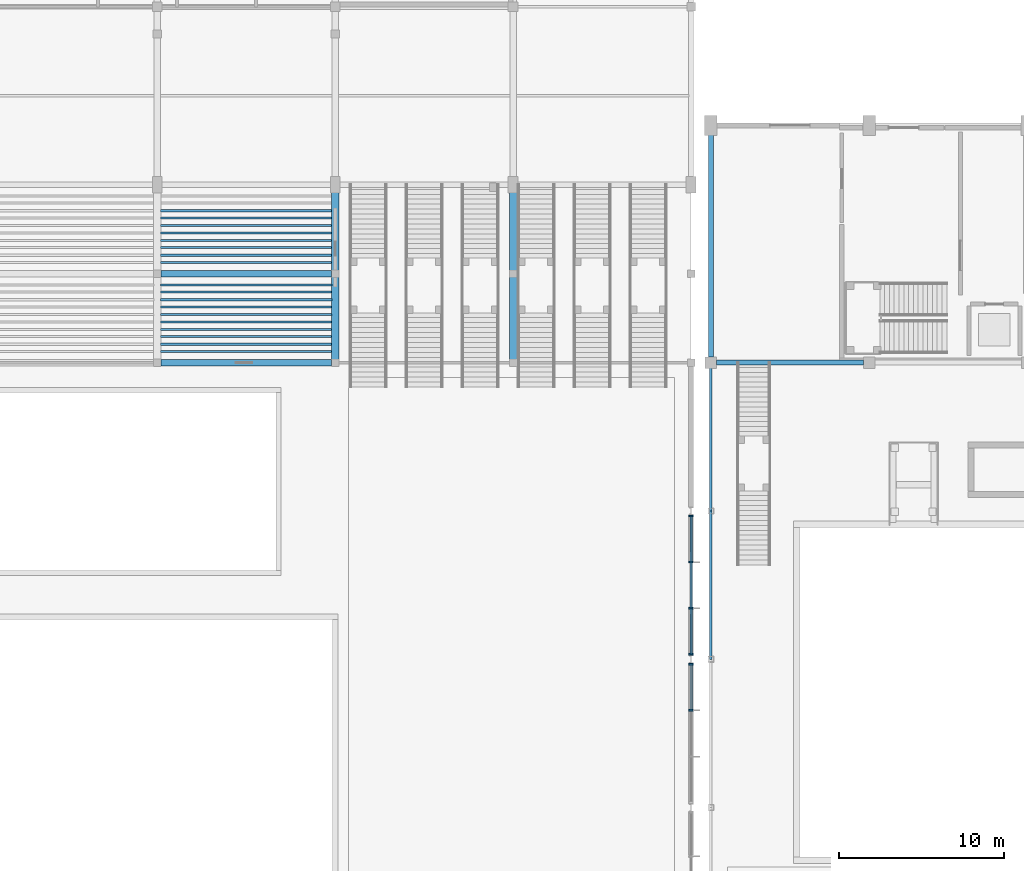
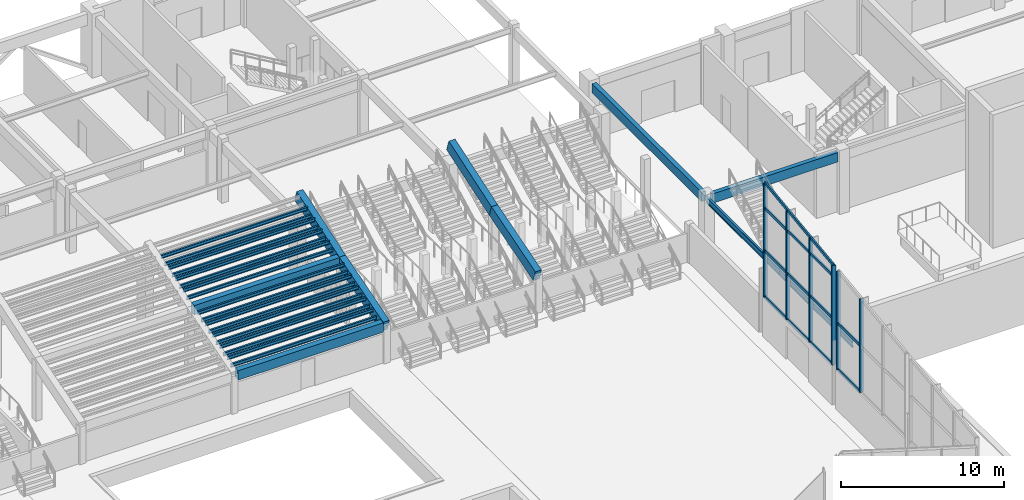
# One storey, part 37 of 82: 28 beams, 18 members, 2 elements without a shape of their own.
"""IFC4 building model written with IfcOpenShell, lengths in metres."""

from ifc_helpers import new_model, si_unit, direction, frame, origin, origin_2d, place, context, subcontext, project, spatial, rectangle, i_section, extrude, material, material_profile, profile_set, type_object, element, aggregate, save


model = new_model("IFC4")

# Units and contexts
model_context = context("Model", 3, precision=1e-05, world=origin(), true_north=direction((0.0, 1.0)))
body_context = subcontext(model_context, "Body", "Model", "MODEL_VIEW")
ifc_project = project(units=[si_unit("LENGTHUNIT", "METRE"), si_unit("AREAUNIT", "SQUARE_METRE"), si_unit("VOLUMEUNIT", "CUBIC_METRE"), si_unit("PLANEANGLEUNIT", "RADIAN"), si_unit("MASSUNIT", "GRAM", prefix="KILO")], contexts=[model_context])

# Site, building, storey
site_placement = place(None, origin())
site = spatial("IfcSite", under=ifc_project, at=site_placement, CompositionType="ELEMENT")
building_placement = place(site_placement, origin())
building = spatial("IfcBuilding", under=site, at=building_placement, Name="Suirenkawa Promenade Aquatics Centre", CompositionType="ELEMENT")
storey_placement = place(building_placement, origin())
storey = spatial("IfcBuildingStorey", under=building, at=storey_placement, Name="L00", CompositionType="ELEMENT", Elevation=0.0)

# Beams
ifc_material_1 = material(Name="Steel IS 2062 E350 (Grade 350)", Category="steel")
ifc_material_profile_1 = material_profile(ifc_material_1, i_section(OverallWidth=0.125, OverallDepth=0.25, WebThickness=0.007080078125, FlangeThickness=0.012939453125, at=origin_2d()), Name="ISMB 250", Category="steel")
ifc_profile_set_1 = profile_set([ifc_material_profile_1], Name="Steel IS 2062 E350 (Grade 350)")
beam_type_1 = type_object("IfcBeamType", Name="BT-JOIST-ISMB250", PredefinedType="JOIST", material=ifc_profile_set_1)
for number, where, z_axis, x_axis, name in (
    (1, (122.60009765625, 87.080078125, 2.985107421875), (1.0, 0.0, 0.0), (0.0, 1.0, 0.0), "Seating tier rear stringer JS-01 BM-1292"),
    (2, (122.60009765625, 87.52001953125, 3.284912109375), (1.0, 0.0, 0.0), (0.0, 1.0, 0.0), "Seating tier front stringer JS-01 BM-1293"),
    (3, (122.60009765625, 87.97998046875, 3.284912109375), (1.0, 0.0, 0.0), (0.0, 1.0, 0.0), "Seating tier rear stringer JS-01 BM-1294"),
    (4, (122.60009765625, 88.419921875, 3.5849609375), (1.0, 0.0, 0.0), (0.0, 1.0, 0.0), "Seating tier front stringer JS-01 BM-1295"),
    (5, (122.60009765625, 88.8798828125, 3.5849609375), (1.0, 0.0, 0.0), (0.0, 1.0, 0.0), "Seating tier rear stringer JS-01 BM-1296"),
    (6, (122.60009765625, 89.320068359375, 3.885009765625), (1.0, 0.0, 0.0), (0.0, 1.0, 0.0), "Seating tier front stringer JS-01 BM-1297"),
    (7, (122.60009765625, 89.780029296875, 3.885009765625), (1.0, 0.0, 0.0), (0.0, 1.0, 0.0), "Seating tier rear stringer JS-01 BM-1298"),
    (8, (122.60009765625, 90.219970703125, 4.18505859375), (1.0, 0.0, 0.0), (0.0, 1.0, 0.0), "Seating tier front stringer JS-01 BM-1299"),
    (9, (122.60009765625, 90.679931640625, 4.18505859375), (1.0, 0.0, 0.0), (0.0, 1.0, 0.0), "Seating tier rear stringer JS-01 BM-1300"),
    (10, (122.60009765625, 91.1201171875, 4.485107421875), (1.0, 0.0, 0.0), (0.0, 1.0, 0.0), "Seating tier front stringer JS-01 BM-1301"),
    (11, (122.60009765625, 92.47998046875, 4.784912109375), (1.0, 0.0, 0.0), (0.0, 1.0, 0.0), "Seating tier rear stringer JS-01 BM-1302"),
    (12, (122.60009765625, 92.919921875, 5.0849609375), (1.0, 0.0, 0.0), (0.0, 1.0, 0.0), "Seating tier front stringer JS-01 BM-1303"),
    (13, (122.60009765625, 93.3798828125, 5.0849609375), (1.0, 0.0, 0.0), (0.0, 1.0, 0.0), "Seating tier rear stringer JS-01 BM-1304"),
    (14, (122.60009765625, 93.820068359375, 5.385009765625), (1.0, 0.0, 0.0), (0.0, 1.0, 0.0), "Seating tier front stringer JS-01 BM-1305"),
    (15, (122.60009765625, 94.280029296875, 5.385009765625), (1.0, 0.0, 0.0), (0.0, 1.0, 0.0), "Seating tier rear stringer JS-01 BM-1306"),
    (16, (122.60009765625, 94.719970703125, 5.68505859375), (1.0, 0.0, 0.0), (0.0, 1.0, 0.0), "Seating tier front stringer JS-01 BM-1307"),
    (17, (122.60009765625, 95.179931640625, 5.68505859375), (1.0, 0.0, 0.0), (0.0, 1.0, 0.0), "Seating tier rear stringer JS-01 BM-1308"),
    (18, (122.60009765625, 95.6201171875, 5.985107421875), (1.0, 0.0, 0.0), (0.0, 1.0, 0.0), "Seating tier front stringer JS-01 BM-1309"),
):
    element("IfcBeam", number, at=place(storey_placement, frame(where, z_axis=z_axis, x_axis=x_axis)), inside=storey, type_object=beam_type_1, Name=name, PredefinedType="JOIST", context=body_context, shape_type="SweptSolid", body=[
        extrude(i_section(OverallWidth=0.125, OverallDepth=0.25, WebThickness=0.007080078125, FlangeThickness=0.012939453125, at=origin_2d()), origin(), (0.0, 0.0, 1.0), 10.39990234375),
    ])
ifc_material_2 = material(Name="Concrete M40", Category="concrete")
ifc_material_profile_2 = material_profile(ifc_material_2, rectangle(XDim=0.449951171875, YDim=0.85009765625, at=origin_2d()), Name="RC RAKER 450x850", Category="concrete")
ifc_profile_set_2 = profile_set([ifc_material_profile_2], Name="Concrete M40")
beam_type_2 = type_object("IfcBeamType", Name="BT-RAKER-450x850", PredefinedType="BEAM", material=ifc_profile_set_2)
beam_1_placement = place(storey_placement, frame((133.199951171875, 86.39990234375, 2.68505859375), z_axis=(0.0, 0.957834627733, 0.287320075727), x_axis=(-1.0, 0.0, 0.0)))
element("IfcBeam", 19, at=beam_1_placement, inside=storey, type_object=beam_type_2, Name="RAKER spectator stand beam RK-01 BM-1170", PredefinedType="BEAM", context=body_context, shape_type="SweptSolid", body=[
    extrude(rectangle(XDim=0.449951171875, YDim=0.85009765625, at=origin_2d()), origin(), (0.0, 0.0, 1.0), 5.637939453125),
])
beam_2_placement = place(storey_placement, frame((133.199951171875, 91.800048828125, 4.304931640625), z_axis=(0.0, 0.948683298051, 0.316227766017), x_axis=(-1.0, 0.0, 0.0)))
element("IfcBeam", 20, at=beam_2_placement, inside=storey, type_object=beam_type_2, Name="RAKER spectator stand beam RK-01 BM-1171", PredefinedType="BEAM", context=body_context, shape_type="SweptSolid", body=[
    extrude(rectangle(XDim=0.449951171875, YDim=0.85009765625, at=origin_2d()), origin(), (0.0, 0.0, 1.0), 5.533935546875),
])
beam_3_placement = place(storey_placement, frame((144.0, 86.39990234375, 2.68505859375), z_axis=(0.0, 0.957834627733, 0.287320075727), x_axis=(-1.0, 0.0, 0.0)))
element("IfcBeam", 21, at=beam_3_placement, inside=storey, type_object=beam_type_2, Name="RAKER spectator stand beam RK-01 BM-1172", PredefinedType="BEAM", context=body_context, shape_type="SweptSolid", body=[
    extrude(rectangle(XDim=0.449951171875, YDim=0.85009765625, at=origin_2d()), origin(), (0.0, 0.0, 1.0), 5.637939453125),
])
beam_4_placement = place(storey_placement, frame((144.0, 91.800048828125, 4.304931640625), z_axis=(0.0, 0.948683298051, 0.316227766017), x_axis=(-1.0, 0.0, 0.0)))
element("IfcBeam", 22, at=beam_4_placement, inside=storey, type_object=beam_type_2, Name="RAKER spectator stand beam RK-01 BM-1173", PredefinedType="BEAM", context=body_context, shape_type="SweptSolid", body=[
    extrude(rectangle(XDim=0.449951171875, YDim=0.85009765625, at=origin_2d()), origin(), (0.0, 0.0, 1.0), 5.533935546875),
])
ifc_material_3 = material(Name="Concrete M35", Category="concrete")
ifc_material_profile_3 = material_profile(ifc_material_3, rectangle(XDim=0.39990234375, YDim=0.699951171875, at=origin_2d()), Name="RC BM 400x700", Category="concrete")
ifc_profile_set_3 = profile_set([ifc_material_profile_3], Name="Concrete M35")
beam_type_3 = type_object("IfcBeamType", Name="BT-RC-400x700", PredefinedType="BEAM", material=ifc_profile_set_3)
for number, where, z_axis, x_axis, name in (
    (23, (122.639892578125, 86.39990234375, 2.760009765625), (1.0, 0.0, 0.0), (0.0, 1.0, 0.0), "Bowl front tie beam BM-04 BM-1289"),
    (24, (122.639892578125, 91.800048828125, 4.3798828125), (1.0, 0.0, 0.0), (0.0, 1.0, 0.0), "Bowl mid tie beam BM-04 BM-1290"),
):
    element("IfcBeam", number, at=place(storey_placement, frame(where, z_axis=z_axis, x_axis=x_axis)), inside=storey, type_object=beam_type_3, Name=name, PredefinedType="BEAM", context=body_context, shape_type="SweptSolid", body=[
        extrude(rectangle(XDim=0.39990234375, YDim=0.699951171875, at=origin_2d()), origin(), (0.0, 0.0, 1.0), 10.320068359375),
    ])
ifc_material_profile_4 = material_profile(ifc_material_2, rectangle(XDim=0.300048828125, YDim=0.699951171875, at=origin_2d()), Name="RC SPANDREL 300x700", Category="concrete")
ifc_profile_set_4 = profile_set([ifc_material_profile_4], Name="Concrete M40")
beam_type_4 = type_object("IfcBeamType", Name="BT-SPANDREL-300x700", PredefinedType="SPANDREL", material=ifc_profile_set_4)
beam_5_placement = place(storey_placement, frame((156.343994140625, 86.39990234375, 4.199951171875), z_axis=(1.0, 0.0, 0.0), x_axis=(0.0, 1.0, 0.0)))
element("IfcBeam", 25, at=beam_5_placement, inside=storey, type_object=beam_type_4, Name="Floor beam SP-01 BM-1393", PredefinedType="SPANDREL", context=body_context, shape_type="SweptSolid", body=[
    extrude(rectangle(XDim=0.300048828125, YDim=0.699951171875, at=origin_2d()), origin(), (0.0, 0.0, 1.0), 8.912109375),
])
beam_6_placement = place(storey_placement, frame((156.0, 86.743896484375, 4.199951171875), z_axis=(0.0, 1.0, 0.0), x_axis=(-1.0, 0.0, 0.0)))
element("IfcBeam", 26, at=beam_6_placement, inside=storey, type_object=beam_type_4, Name="Floor beam SP-01 BM-1401", PredefinedType="SPANDREL", context=body_context, shape_type="SweptSolid", body=[
    extrude(rectangle(XDim=0.300048828125, YDim=0.699951171875, at=origin_2d()), origin(), (0.0, 0.0, 1.0), 13.462158203125),
])
ifc_material_profile_5 = material_profile(ifc_material_1, i_section(OverallWidth=0.14990234375, OverallDepth=0.449951171875, WebThickness=0.009033203125, FlangeThickness=0.01708984375, at=origin_2d()), Name="ISMB 450", Category="steel")
ifc_profile_set_5 = profile_set([ifc_material_profile_5], Name="Steel IS 2062 E350 (Grade 350)")
beam_type_5 = type_object("IfcBeamType", Name="BT-STL-ISMB450", PredefinedType="BEAM", material=ifc_profile_set_5)
for number, where, z_axis, x_axis, name in (
    (27, (156.0, 68.39990234375, 4.22509765625), (0.0, 1.0, 0.0), (-1.0, 0.0, 0.0), "Diving hall wind girt BM-08 BM-1347"),
    (28, (156.0, 77.39990234375, 4.22509765625), (0.0, 1.0, 0.0), (-1.0, 0.0, 0.0), "Diving hall wind girt BM-08 BM-1348"),
):
    element("IfcBeam", number, at=place(storey_placement, frame(where, z_axis=z_axis, x_axis=x_axis)), inside=storey, type_object=beam_type_5, Name=name, PredefinedType="BEAM", context=body_context, shape_type="SweptSolid", body=[
        extrude(i_section(OverallWidth=0.14990234375, OverallDepth=0.449951171875, WebThickness=0.009033203125, FlangeThickness=0.01708984375, at=origin_2d()), origin(), (0.0, 0.0, 1.0), 9.0),
    ])

# Curtain wall, members
ifc_material_4 = material(Name="Anodised aluminium 6063-T6", Category="aluminium")
curtain_wall_type_1 = type_object("IfcCurtainWallType", Name="CWAT-GABLEV1-02", PredefinedType="NOTDEFINED", material=ifc_material_4)
curtain_wall_1_placement = place(storey_placement, origin())
curtain_wall_1 = element("IfcCurtainWall", 29, at=curtain_wall_1_placement, inside=storey, type_object=curtain_wall_type_1, Name="Curtain wall CWA-02 CW-006", PredefinedType="NOTDEFINED")
ifc_material_profile_6 = material_profile(ifc_material_4, rectangle(XDim=0.110107421875, YDim=0.260009765625, at=origin_2d()), Name="ALU MULL 110x260", Category="aluminium")
ifc_profile_set_6 = profile_set([ifc_material_profile_6], Name="Anodised aluminium 6063-T6")
member_type_1 = type_object("IfcMemberType", Name="CWM-260x110", PredefinedType="MULLION", material=ifc_profile_set_6)
member_1_placement = place(storey_placement, frame((154.800048828125, 68.10107421875, 2.949951171875), z_axis=(0.0, 0.0, 1.0), x_axis=(0.0, -1.0, 0.0)))
member_1 = element("IfcMember", 30, at=member_1_placement, type_object=member_type_1, Name="Mullion ML-04 CWM-00120", PredefinedType="MULLION", context=body_context, shape_type="SweptSolid", body=[
    extrude(rectangle(XDim=0.110107421875, YDim=0.260009765625, at=origin_2d()), origin(), (0.0, 0.0, 1.0), 7.381591796875),
])
member_2_placement = place(storey_placement, frame((154.800048828125, 65.30029296875, 2.949951171875), z_axis=(0.0, 0.0, 1.0), x_axis=(0.0, -1.0, 0.0)))
member_2 = element("IfcMember", 31, at=member_2_placement, type_object=member_type_1, Name="Mullion ML-04 CWM-00121", PredefinedType="MULLION", context=body_context, shape_type="SweptSolid", body=[
    extrude(rectangle(XDim=0.110107421875, YDim=0.260009765625, at=origin_2d()), origin(), (0.0, 0.0, 1.0), 7.0205078125),
])

curtain_wall_type_2 = type_object("IfcCurtainWallType", Name="CWAT-GABLEV1-03", PredefinedType="NOTDEFINED", material=ifc_material_4)
curtain_wall_2_placement = place(storey_placement, origin())
curtain_wall_2 = element("IfcCurtainWall", 32, at=curtain_wall_2_placement, inside=storey, type_object=curtain_wall_type_2, Name="Curtain wall CWA-03 CW-007", PredefinedType="NOTDEFINED")
member_3_placement = place(storey_placement, frame((154.800048828125, 77.10107421875, 2.949951171875), z_axis=(0.0, 0.0, 1.0), x_axis=(0.0, -1.0, 0.0)))
member_3 = element("IfcMember", 33, at=member_3_placement, type_object=member_type_1, Name="Mullion ML-04 CWM-00137", PredefinedType="MULLION", context=body_context, shape_type="SweptSolid", body=[
    extrude(rectangle(XDim=0.110107421875, YDim=0.260009765625, at=origin_2d()), origin(), (0.0, 0.0, 1.0), 8.54150390625),
])
member_4_placement = place(storey_placement, frame((154.800048828125, 74.30029296875, 2.949951171875), z_axis=(0.0, 0.0, 1.0), x_axis=(0.0, -1.0, 0.0)))
member_4 = element("IfcMember", 34, at=member_4_placement, type_object=member_type_1, Name="Mullion ML-04 CWM-00138", PredefinedType="MULLION", context=body_context, shape_type="SweptSolid", body=[
    extrude(rectangle(XDim=0.110107421875, YDim=0.260009765625, at=origin_2d()), origin(), (0.0, 0.0, 1.0), 8.180419921875),
])
member_5_placement = place(storey_placement, frame((154.800048828125, 71.499755859375, 2.949951171875), z_axis=(0.0, 0.0, 1.0), x_axis=(0.0, -1.0, 0.0)))
member_5 = element("IfcMember", 35, at=member_5_placement, type_object=member_type_1, Name="Mullion ML-04 CWM-00139", PredefinedType="MULLION", context=body_context, shape_type="SweptSolid", body=[
    extrude(rectangle(XDim=0.110107421875, YDim=0.260009765625, at=origin_2d()), origin(), (0.0, 0.0, 1.0), 7.819580078125),
])
member_6_placement = place(storey_placement, frame((154.800048828125, 68.698974609375, 2.949951171875), z_axis=(0.0, 0.0, 1.0), x_axis=(0.0, -1.0, 0.0)))
member_6 = element("IfcMember", 36, at=member_6_placement, type_object=member_type_1, Name="Mullion ML-04 CWM-00140", PredefinedType="MULLION", context=body_context, shape_type="SweptSolid", body=[
    extrude(rectangle(XDim=0.110107421875, YDim=0.260009765625, at=origin_2d()), origin(), (0.0, 0.0, 1.0), 7.45849609375),
])

# Member
ifc_material_profile_7 = material_profile(ifc_material_4, rectangle(XDim=0.110107421875, YDim=0.2099609375, at=origin_2d()), Name="ALU TRAN 110x210", Category="aluminium")
ifc_profile_set_7 = profile_set([ifc_material_profile_7], Name="Anodised aluminium 6063-T6")
member_type_2 = type_object("IfcMemberType", Name="CWT-210x110", PredefinedType="USERDEFINED", material=ifc_profile_set_7)
member_7_placement = place(storey_placement, frame((154.800048828125, 68.10107421875, 2.949951171875), z_axis=(0.0, -1.0, 0.0), x_axis=(1.0, 0.0, 0.0)))
member_7 = element("IfcMember", 37, at=member_7_placement, type_object=member_type_2, Name="Transom TR-04 CWT-00124", ObjectType="TRANSOM", PredefinedType="USERDEFINED", context=body_context, shape_type="SweptSolid", body=[
    extrude(rectangle(XDim=0.110107421875, YDim=0.2099609375, at=origin_2d()), origin(), (0.0, 0.0, 1.0), 2.80078125),
])

member_8_placement = place(storey_placement, frame((154.800048828125, 68.10107421875, 6.39990234375), z_axis=(0.0, -1.0, 0.0), x_axis=(1.0, 0.0, 0.0)))
member_8 = element("IfcMember", 38, at=member_8_placement, type_object=member_type_2, Name="Transom TR-04 CWT-00127", ObjectType="TRANSOM", PredefinedType="USERDEFINED", context=body_context, shape_type="SweptSolid", body=[
    extrude(rectangle(XDim=0.110107421875, YDim=0.2099609375, at=origin_2d()), origin(), (0.0, 0.0, 1.0), 2.80078125),
])

aggregate(curtain_wall_1, [member_1, member_2, member_7, member_8])

member_9_placement = place(storey_placement, frame((154.800048828125, 77.10107421875, 2.949951171875), z_axis=(0.0, -1.0, 0.0), x_axis=(1.0, 0.0, 0.0)))
member_9 = element("IfcMember", 39, at=member_9_placement, type_object=member_type_2, Name="Transom TR-04 CWT-00141", ObjectType="TRANSOM", PredefinedType="USERDEFINED", context=body_context, shape_type="SweptSolid", body=[
    extrude(rectangle(XDim=0.110107421875, YDim=0.2099609375, at=origin_2d()), origin(), (0.0, 0.0, 1.0), 2.80078125),
])

member_10_placement = place(storey_placement, frame((154.800048828125, 74.30029296875, 2.949951171875), z_axis=(0.0, -1.0, 0.0), x_axis=(1.0, 0.0, 0.0)))
member_10 = element("IfcMember", 40, at=member_10_placement, type_object=member_type_2, Name="Transom TR-04 CWT-00142", ObjectType="TRANSOM", PredefinedType="USERDEFINED", context=body_context, shape_type="SweptSolid", body=[
    extrude(rectangle(XDim=0.110107421875, YDim=0.2099609375, at=origin_2d()), origin(), (0.0, 0.0, 1.0), 2.800537109375),
])

member_11_placement = place(storey_placement, frame((154.800048828125, 71.499755859375, 2.949951171875), z_axis=(0.0, -1.0, 0.0), x_axis=(1.0, 0.0, 0.0)))
member_11 = element("IfcMember", 41, at=member_11_placement, type_object=member_type_2, Name="Transom TR-04 CWT-00143", ObjectType="TRANSOM", PredefinedType="USERDEFINED", context=body_context, shape_type="SweptSolid", body=[
    extrude(rectangle(XDim=0.110107421875, YDim=0.2099609375, at=origin_2d()), origin(), (0.0, 0.0, 1.0), 2.80078125),
])

member_12_placement = place(storey_placement, frame((154.800048828125, 77.10107421875, 6.39990234375), z_axis=(0.0, -1.0, 0.0), x_axis=(1.0, 0.0, 0.0)))
member_12 = element("IfcMember", 42, at=member_12_placement, type_object=member_type_2, Name="Transom TR-04 CWT-00144", ObjectType="TRANSOM", PredefinedType="USERDEFINED", context=body_context, shape_type="SweptSolid", body=[
    extrude(rectangle(XDim=0.110107421875, YDim=0.2099609375, at=origin_2d()), origin(), (0.0, 0.0, 1.0), 2.80078125),
])

member_13_placement = place(storey_placement, frame((154.800048828125, 74.30029296875, 6.39990234375), z_axis=(0.0, -1.0, 0.0), x_axis=(1.0, 0.0, 0.0)))
member_13 = element("IfcMember", 43, at=member_13_placement, type_object=member_type_2, Name="Transom TR-04 CWT-00145", ObjectType="TRANSOM", PredefinedType="USERDEFINED", context=body_context, shape_type="SweptSolid", body=[
    extrude(rectangle(XDim=0.110107421875, YDim=0.2099609375, at=origin_2d()), origin(), (0.0, 0.0, 1.0), 2.800537109375),
])

member_14_placement = place(storey_placement, frame((154.800048828125, 71.499755859375, 6.39990234375), z_axis=(0.0, -1.0, 0.0), x_axis=(1.0, 0.0, 0.0)))
member_14 = element("IfcMember", 44, at=member_14_placement, type_object=member_type_2, Name="Transom TR-04 CWT-00146", ObjectType="TRANSOM", PredefinedType="USERDEFINED", context=body_context, shape_type="SweptSolid", body=[
    extrude(rectangle(XDim=0.110107421875, YDim=0.2099609375, at=origin_2d()), origin(), (0.0, 0.0, 1.0), 2.80078125),
])

member_15_placement = place(storey_placement, frame((154.800048828125, 77.10107421875, 9.60009765625), z_axis=(0.0, -1.0, 0.0), x_axis=(1.0, 0.0, 0.0)))
member_15 = element("IfcMember", 45, at=member_15_placement, type_object=member_type_2, Name="Transom TR-04 CWT-00147", ObjectType="TRANSOM", PredefinedType="USERDEFINED", context=body_context, shape_type="SweptSolid", body=[
    extrude(rectangle(XDim=0.110107421875, YDim=0.2099609375, at=origin_2d()), origin(), (0.0, 0.0, 1.0), 2.80078125),
])

member_16_placement = place(storey_placement, frame((154.800048828125, 74.30029296875, 9.60009765625), z_axis=(0.0, -1.0, 0.0), x_axis=(1.0, 0.0, 0.0)))
member_16 = element("IfcMember", 46, at=member_16_placement, type_object=member_type_2, Name="Transom TR-04 CWT-00148", ObjectType="TRANSOM", PredefinedType="USERDEFINED", context=body_context, shape_type="SweptSolid", body=[
    extrude(rectangle(XDim=0.110107421875, YDim=0.2099609375, at=origin_2d()), origin(), (0.0, 0.0, 1.0), 2.800537109375),
])

member_17_placement = place(storey_placement, frame((154.800048828125, 71.499755859375, 9.60009765625), z_axis=(0.0, -1.0, 0.0), x_axis=(1.0, 0.0, 0.0)))
member_17 = element("IfcMember", 47, at=member_17_placement, type_object=member_type_2, Name="Transom TR-04 CWT-00149", ObjectType="TRANSOM", PredefinedType="USERDEFINED", context=body_context, shape_type="SweptSolid", body=[
    extrude(rectangle(XDim=0.110107421875, YDim=0.2099609375, at=origin_2d()), origin(), (0.0, 0.0, 1.0), 2.80078125),
])

member_18_placement = place(storey_placement, frame((154.800048828125, 77.10107421875, 11.491455078125), z_axis=(0.0, -0.99179484823, -0.12783966139), x_axis=(1.0, 0.0, 0.0)))
member_18 = element("IfcMember", 48, at=member_18_placement, type_object=member_type_2, Name="Roofline transom TR-04 CWT-00150", ObjectType="TRANSOM", PredefinedType="USERDEFINED", context=body_context, shape_type="SweptSolid", body=[
    extrude(rectangle(XDim=0.110107421875, YDim=0.2099609375, at=origin_2d()), origin(), (0.0, 0.0, 1.0), 8.4716796875),
])

aggregate(curtain_wall_2, [member_3, member_4, member_5, member_6, member_9, member_10, member_11, member_12, member_13, member_14, member_15, member_16, member_17, member_18])

save(model, "model.ifc")
